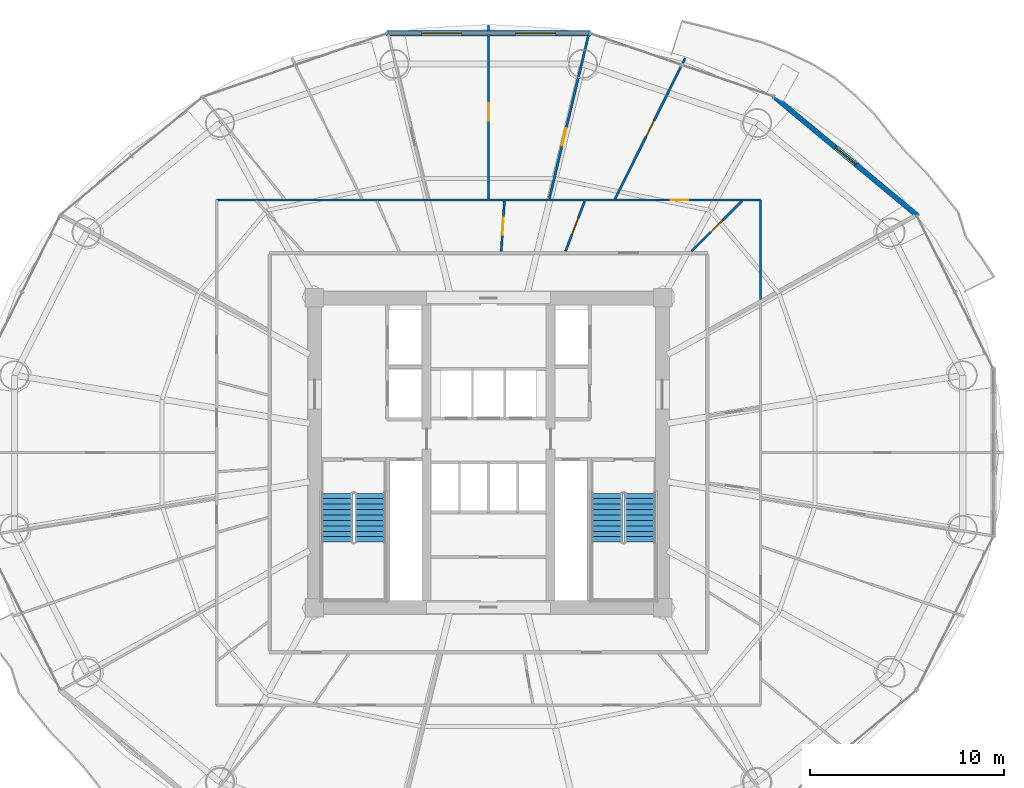
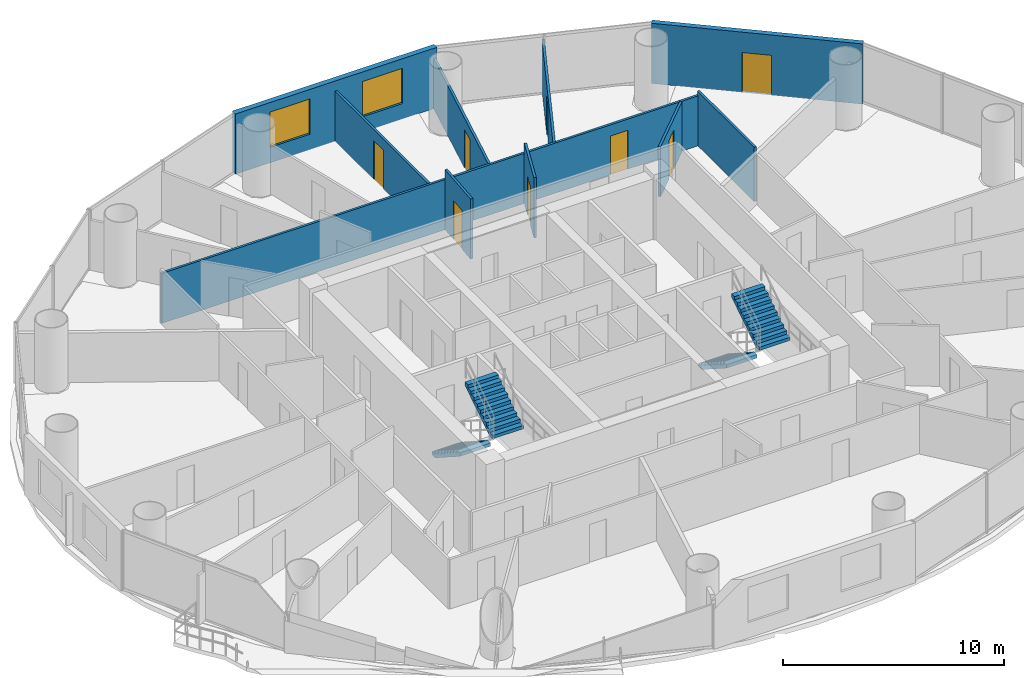
# One storey, part 25 of 29: 10 walls, 8 doors, 4 stair flights, 2 windows, 10 openings, 2 elements without a shape of their own.
"""IFC4 building model written with IfcOpenShell, lengths in metres."""

import ifcopenshell
import ifcopenshell.guid

model = None  # the IFC model being written
_history = None  # IfcOwnerHistory: only IFC2X3 demands one
_inside = {}  # id of a spatial element -> (the spatial element, [elements in it])
_under = {}  # id of a project, library or spatial element -> (it, [spatial elements below it])
_declared = {}  # id of a project -> (the project, [libraries it declares])
_typed = {}  # id of a type object -> (the type object, [elements of that type])
_made_of = {}  # id of a material, layer set ... -> (it, [elements and type objects made of it])


def new_model(schema):
    """Start an empty IFC model of exactly this schema.

    Asked for "IFC4X3", IfcOpenShell would pick the latest addendum, in which some entities
    have other attributes; the version numbers below select the first issue.
    IFC2X3 requires an IfcOwnerHistory on every rooted entity: one is made here for all.
    """
    global model, _history
    if schema == "IFC4X3":
        model = ifcopenshell.file(schema_version=(4, 3, 0, 0))
    else:
        model = ifcopenshell.file(schema=schema)
    _inside.clear()
    _under.clear()
    _declared.clear()
    _typed.clear()
    _made_of.clear()
    _history = None
    if model.schema == "IFC2X3":
        org = make("IfcOrganization", Name="unknown")
        user = make(
            "IfcPersonAndOrganization",
            ThePerson=make("IfcPerson", FamilyName="unknown"),
            TheOrganization=org,
        )
        app = make(
            "IfcApplication",
            ApplicationDeveloper=org,
            Version="unknown",
            ApplicationFullName="unknown",
            ApplicationIdentifier="unknown",
        )
        _history = make(
            "IfcOwnerHistory",
            OwningUser=user,
            OwningApplication=app,
            ChangeAction="ADDED",
            CreationDate=0,
        )
    return model


def make(cls, **values):
    """One entity of the class cls with the attributes given. An attribute that is None is left unset."""
    return model.create_entity(
        cls, **{name: value for name, value in values.items() if value is not None}
    )


def rooted(cls, **values):
    """An entity with a GlobalId (a new one), such as an element, a storey or a relation."""
    return make(cls, GlobalId=ifcopenshell.guid.new(), OwnerHistory=_history, **values)


def si_unit(unit_type, name, prefix=None):
    """IfcSIUnit, for example si_unit("LENGTHUNIT", "METRE", prefix="MILLI")."""
    return make("IfcSIUnit", UnitType=unit_type, Prefix=prefix, Name=name)


def assignment(units):
    """IfcUnitAssignment: the units of a project."""
    return None if units is None else make("IfcUnitAssignment", Units=units)


def point(xyz):
    """IfcCartesianPoint."""
    return None if xyz is None else make("IfcCartesianPoint", Coordinates=xyz)


def direction(xyz):
    """IfcDirection."""
    return None if xyz is None else make("IfcDirection", DirectionRatios=xyz)


def frame(location, z_axis=None, x_axis=None):
    """IfcAxis2Placement3D, a coordinate frame: its origin and axes. An axis left out is left unset."""
    return make(
        "IfcAxis2Placement3D",
        Location=point(location),
        Axis=direction(z_axis),
        RefDirection=direction(x_axis),
    )


def frame_2d(location, x_axis=None):
    """IfcAxis2Placement2D, a coordinate frame in the plane: its origin and x axis."""
    return make(
        "IfcAxis2Placement2D", Location=point(location), RefDirection=direction(x_axis)
    )


def origin():
    """The frame at (0, 0, 0) with its axes left unset."""
    return frame((0.0, 0.0, 0.0))


def place(relative_to, where):
    """IfcLocalPlacement: puts the frame where relative to a parent placement (None: the world)."""
    return make(
        "IfcLocalPlacement", PlacementRelTo=relative_to, RelativePlacement=where
    )


def context(
    kind, dimensions, precision=None, world=None, true_north=None, identifier=None
):
    """IfcGeometricRepresentationContext, for example the 3D "Model" context."""
    return make(
        "IfcGeometricRepresentationContext",
        ContextIdentifier=identifier,
        ContextType=kind,
        CoordinateSpaceDimension=dimensions,
        Precision=precision,
        WorldCoordinateSystem=world,
        TrueNorth=true_north,
    )


def subcontext(parent, identifier, kind, view, scale=None):
    """IfcGeometricRepresentationSubContext, for example "Body" below "Model"."""
    return make(
        "IfcGeometricRepresentationSubContext",
        ContextIdentifier=identifier,
        ContextType=kind,
        ParentContext=parent,
        TargetScale=scale,
        TargetView=view,
    )


def project(units=None, contexts=None):
    """IfcProject with its units and contexts."""
    return rooted(
        "IfcProject",
        Name="project",
        RepresentationContexts=contexts,
        UnitsInContext=assignment(units),
    )


def spatial(cls, under=None, at=None, **own):
    """A site, building, storey or space (cls), placed at a placement, below another one or the project."""
    s = rooted(cls, ObjectPlacement=at, **own)
    if under is not None:
        _under.setdefault(under.id(), (under, []))[1].append(s)
    return s


def polyline(points):
    """IfcPolyline through the points."""
    return make("IfcPolyline", Points=[point(p) for p in points])


def profile(cls, at=None, kind="AREA", **sizes):
    """A parametric profile (cls). Its sizes go by their IFC names, for example OverallWidth=200.0."""
    return make(cls, ProfileType=kind, Position=at, **sizes)


def rectangle(**sizes):
    """IfcRectangleProfileDef."""
    return profile("IfcRectangleProfileDef", **sizes)


def outline(outer, holes=None, kind="AREA"):
    """IfcArbitraryClosedProfileDef: a profile drawn as a closed curve; with holes, ...WithVoids."""
    if holes is None:
        return make("IfcArbitraryClosedProfileDef", ProfileType=kind, OuterCurve=outer)
    return make(
        "IfcArbitraryProfileDefWithVoids",
        ProfileType=kind,
        OuterCurve=outer,
        InnerCurves=holes,
    )


def extrude(swept, where, along, depth):
    """IfcExtrudedAreaSolid: the profile swept, set in the frame where, extruded along a direction by depth."""
    return make(
        "IfcExtrudedAreaSolid",
        SweptArea=swept,
        Position=where,
        ExtrudedDirection=direction(along),
        Depth=depth,
    )


def shape(context_of_items, identifier, shape_type, items):
    """IfcShapeRepresentation: the items that make up one representation, for example the "Body"."""
    return make(
        "IfcShapeRepresentation",
        ContextOfItems=context_of_items,
        RepresentationIdentifier=identifier,
        RepresentationType=shape_type,
        Items=items,
    )


def source(mapping_origin, context_of_items, identifier, shape_type, items):
    """IfcRepresentationMap: a shape defined once, which mapped items show again and again."""
    return make(
        "IfcRepresentationMap",
        MappingOrigin=mapping_origin,
        MappedRepresentation=shape(context_of_items, identifier, shape_type, items),
    )


def transform(
    local_origin,
    x_axis=None,
    y_axis=None,
    z_axis=None,
    scale=None,
    scale2=None,
    scale3=None,
    uniform=True,
):
    """IfcCartesianTransformationOperator3D, or its non-uniform kind. x_axis, y_axis, z_axis: its Axis1, 2, 3."""
    if uniform:
        return make(
            "IfcCartesianTransformationOperator3D",
            Axis1=direction(x_axis),
            Axis2=direction(y_axis),
            LocalOrigin=point(local_origin),
            Scale=scale,
            Axis3=direction(z_axis),
        )
    return make(
        "IfcCartesianTransformationOperator3DnonUniform",
        Axis1=direction(x_axis),
        Axis2=direction(y_axis),
        LocalOrigin=point(local_origin),
        Scale=scale,
        Axis3=direction(z_axis),
        Scale2=scale2,
        Scale3=scale3,
    )


def mapped(mapping_source, mapping_target):
    """IfcMappedItem: shows the shape of a source again, moved by a transform."""
    return make(
        "IfcMappedItem", MappingSource=mapping_source, MappingTarget=mapping_target
    )


def material(Name=None, Category=None):
    """IfcMaterial."""
    return make("IfcMaterial", Name=Name, Category=Category)


def layer(
    of_material, thickness, ventilated=None, Name=None, Category=None, Priority=None
):
    """IfcMaterialLayer: one layer of a wall or slab, of a material (None: an air gap)."""
    return make(
        "IfcMaterialLayer",
        Material=of_material,
        LayerThickness=thickness,
        IsVentilated=ventilated,
        Name=Name,
        Category=Category,
        Priority=Priority,
    )


def layer_set(layers, Name=None):
    """IfcMaterialLayerSet."""
    return make("IfcMaterialLayerSet", MaterialLayers=layers, LayerSetName=Name)


def made_of(thing, what):
    """Note that an element or type object is made of a material, layer set ...; save() writes the relation."""
    if what is not None:
        _made_of.setdefault(what.id(), (what, []))[1].append(thing)
    return thing


def type_object(cls, material=None, **own):
    """A type object (cls), such as IfcWallType, which elements share."""
    return made_of(rooted(cls, **own), material)


def element(
    cls,
    number,
    at=None,
    inside=None,
    cuts=None,
    type_object=None,
    material=None,
    context=None,
    identifier="Body",
    shape_type=None,
    held_by="IfcProductDefinitionShape",
    body=None,
    shapes=None,
    **own,
):
    """One element of the class cls, such as IfcWall. Its Tag is "e" and its number.

    at: its placement. inside: the storey or other place that contains it. cuts: it is an
    opening in that element (IfcRelVoidsElement). A single representation is given by context,
    identifier, shape_type and body (its items); several are given by shapes. held_by: the class
    of the entity that holds the representations. save() writes the other relations.
    """
    e = rooted(cls, Tag="e%d" % number, ObjectPlacement=at, **own)
    if body is not None:
        shapes = [shape(context, identifier, shape_type, body)]
    if shapes is not None:
        e.Representation = make(held_by, Representations=shapes)
    if inside is not None:
        _inside.setdefault(inside.id(), (inside, []))[1].append(e)
    if cuts is not None:
        rooted(
            "IfcRelVoidsElement", RelatingBuildingElement=cuts, RelatedOpeningElement=e
        )
    if type_object is not None:
        _typed.setdefault(type_object.id(), (type_object, []))[1].append(e)
    return made_of(e, material)


def fill(opening, filler):
    """IfcRelFillsElement: the door or window that sits in an opening."""
    return rooted(
        "IfcRelFillsElement",
        RelatingOpeningElement=opening,
        RelatedBuildingElement=filler,
    )


def aggregate(whole, parts):
    """IfcRelAggregates: a whole, such as a stair, and the parts it consists of."""
    return rooted("IfcRelAggregates", RelatingObject=whole, RelatedObjects=parts)


def save(model, path):
    """Write the relations noted so far, then the file.

    IfcRelAggregates (storeys below a building ...), IfcRelContainedInSpatialStructure (elements
    in a storey), IfcRelDefinesByType, IfcRelAssociatesMaterial and IfcRelDeclares: one each for
    every whole, place, type object, material and project.
    """
    for whole, parts in _under.values():
        aggregate(whole, parts)
    for where, things in _inside.values():
        rooted(
            "IfcRelContainedInSpatialStructure",
            RelatedElements=things,
            RelatingStructure=where,
        )
    for kind, things in _typed.values():
        rooted("IfcRelDefinesByType", RelatedObjects=things, RelatingType=kind)
    for what, things in _made_of.values():
        rooted("IfcRelAssociatesMaterial", RelatedObjects=things, RelatingMaterial=what)
    for by, libraries in _declared.values():
        rooted("IfcRelDeclares", RelatingContext=by, RelatedDefinitions=libraries)
    model.write(path)


model = new_model("IFC4")

# Units and contexts
model_context = context("Model", 3, precision=1e-05, world=origin(), true_north=direction((-0.2419218956, 0.970295726276)))
body_context = subcontext(model_context, "Body", "Model", "MODEL_VIEW")
ifc_project = project(units=[si_unit("LENGTHUNIT", "METRE"), si_unit("AREAUNIT", "SQUARE_METRE"), si_unit("VOLUMEUNIT", "CUBIC_METRE"), si_unit("PLANEANGLEUNIT", "RADIAN"), si_unit("MASSUNIT", "GRAM", prefix="KILO")], contexts=[model_context])

# Site, building, storey
site_placement = place(None, origin())
site = spatial("IfcSite", under=ifc_project, at=site_placement, CompositionType="ELEMENT")
building_placement = place(site_placement, origin())
building = spatial("IfcBuilding", under=site, at=building_placement, Name="Cobrevalo Terracotta Tower", CompositionType="ELEMENT")
storey_placement = place(building_placement, frame((0.0, 0.0, 90.60009765625)))
storey = spatial("IfcBuildingStorey", under=building, at=storey_placement, Name="L23", CompositionType="ELEMENT", Elevation=90.60009765625)

# Wall, openings, windows
ifc_material_1 = material(Name="Autoclaved aerated concrete block", Category="concrete")
ifc_layer_1 = layer(ifc_material_1, 0.280029296875)
ifc_layer_set_1 = layer_set([ifc_layer_1], Name="Autoclaved aerated concrete block")
wall_type_1 = type_object("IfcWallType", Name="Insulated tower spandrel & pier wall 280 mm with terracotta rainscreen", PredefinedType="SOLIDWALL", material=ifc_layer_set_1)
wall_1_placement = place(storey_placement, frame((43.263671875, 48.446044921875, 0.0), z_axis=(0.0, 0.0, 1.0), x_axis=(-1.0, 0.0, 0.0)))
wall_1 = element("IfcWall", 1, at=wall_1_placement, inside=storey, type_object=wall_type_1, Name="L23 terracotta rainscreen pier wall S04", PredefinedType="SOLIDWALL", context=body_context, shape_type="SweptSolid", body=[
    extrude(rectangle(XDim=10.52734375, YDim=0.280029296875, at=frame_2d((5.263671875, 0.0))), origin(), (0.0, 0.0, 1.0), 3.324951171875),
])
opening_1_placement = place(wall_1_placement, frame((1.792236328125, 0.0, 0.85009765625)))
opening_1 = element("IfcOpeningElement", 2, at=opening_1_placement, cuts=wall_1, Name="Opening WN-10", PredefinedType="OPENING", context=body_context, shape_type="SweptSolid", body=[
    extrude(rectangle(XDim=2.10009765625, YDim=1.949951171875, at=frame_2d((1.050048828125, 0.97509765625))), frame((0.0, 0.14990234375, 0.0), z_axis=(0.0, -1.0, 0.0), x_axis=(1.0, 0.0, 0.0)), (0.0, 0.0, 1.0), 0.300048828125),
])
opening_2_placement = place(wall_1_placement, frame((6.634765625, 0.0, 0.85009765625)))
opening_2 = element("IfcOpeningElement", 3, at=opening_2_placement, cuts=wall_1, Name="Opening WN-10", PredefinedType="OPENING", context=body_context, shape_type="SweptSolid", body=[
    extrude(rectangle(XDim=2.10009765625, YDim=1.949951171875, at=frame_2d((1.050048828125, 0.97509765625))), frame((0.0, 0.14990234375, 0.0), z_axis=(0.0, -1.0, 0.0), x_axis=(1.0, 0.0, 0.0)), (0.0, 0.0, 1.0), 0.300048828125),
])
ifc_material_2 = material(Name="Solar-control low-E double glazing", Category="glass")
window_type = type_object("IfcWindowType", Name="Wide panoramic low-E aluminium window 2100x1950", PartitioningType="SINGLE_PANEL", PredefinedType="WINDOW", material=ifc_material_2)
shared_shape_1 = source(origin(), body_context, "Body", "SweptSolid", [
    extrude(rectangle(XDim=2.10009765625, YDim=1.949951171875, at=frame_2d((1.050048828125, 0.97509765625))), frame((0.0, 0.030029296875, 0.0), z_axis=(0.0, -1.0, 0.0), x_axis=(1.0, 0.0, 0.0)), (0.0, 0.0, 1.0), 0.06005859375),
])
window_1_placement = place(opening_1_placement, origin())
window_1 = element("IfcWindow", 4, at=window_1_placement, inside=storey, type_object=window_type, Name="L23 suite window S04A", OverallHeight=1.949951171875, OverallWidth=2.10009765625, PartitioningType="SINGLE_PANEL", PredefinedType="WINDOW", context=body_context, shape_type="MappedRepresentation", body=[
    mapped(shared_shape_1, transform((0.0, 0.0, 0.0), scale=1.0)),
])
fill(opening_1, window_1)
window_2_placement = place(opening_2_placement, origin())
window_2 = element("IfcWindow", 5, at=window_2_placement, inside=storey, type_object=window_type, Name="L23 suite window S04B", OverallHeight=1.949951171875, OverallWidth=2.10009765625, PartitioningType="SINGLE_PANEL", PredefinedType="WINDOW", context=body_context, shape_type="MappedRepresentation", body=[
    mapped(shared_shape_1, transform((0.0, 0.0, 0.0), scale=1.0)),
])
fill(opening_2, window_2)

# Wall, opening, door
ifc_layer_2 = layer(ifc_material_1, 0.260009765625)
ifc_layer_set_2 = layer_set([ifc_layer_2], Name="Autoclaved aerated concrete block")
wall_type_2 = type_object("IfcWallType", Name="Recessed balcony loggia insulated exterior wall 260 mm", PredefinedType="SOLIDWALL", material=ifc_layer_set_2)
wall_2_placement = place(storey_placement, frame((60.15380859375, 39.01025390625, 0.0), z_axis=(0.0, 0.0, 1.0), x_axis=(-0.769242574941, 0.638956853706, 0.0)))
wall_2 = element("IfcWall", 6, at=wall_2_placement, inside=storey, type_object=wall_type_2, Name="L23 balcony loggia wall S02", PredefinedType="SOLIDWALL", context=body_context, shape_type="SweptSolid", body=[
    extrude(rectangle(XDim=9.68994140625, YDim=0.260009765625, at=frame_2d((4.844970703125, 0.0))), origin(), (0.0, 0.0, 1.0), 3.324951171875),
])
opening_3_placement = place(wall_2_placement, frame((4.169921875, 0.0, 0.0)))
opening_3 = element("IfcOpeningElement", 7, at=opening_3_placement, cuts=wall_2, Name="Opening ED-05", PredefinedType="OPENING", context=body_context, shape_type="SweptSolid", body=[
    extrude(rectangle(XDim=1.35009765625, YDim=2.199951171875, at=frame_2d((0.675048828125, 1.10009765625))), frame((0.0, 0.14013671875, 0.0), z_axis=(0.0, -1.0, 0.0), x_axis=(1.0, 0.0, 0.0)), (0.0, 0.0, 1.0), 0.280029296875),
])
ifc_material_3 = material(Name="Anodized aluminium and laminated glass", Category="aluminium")
door_type_1 = type_object("IfcDoorType", Name="Suite balcony acoustic glazed terrace door 1350x2200", OperationType="NOTDEFINED", PredefinedType="DOOR", material=ifc_material_3)
shared_shape_2 = source(origin(), body_context, "Body", "SweptSolid", [
    extrude(rectangle(XDim=1.35009765625, YDim=2.199951171875, at=frame_2d((0.675048828125, 1.10009765625))), frame((0.0, 0.02490234375, 0.0), z_axis=(0.0, -1.0, 0.0), x_axis=(1.0, 0.0, 0.0)), (0.0, 0.0, 1.0), 0.050048828125),
])
door_1_placement = place(opening_3_placement, frame((1.35009765625, 0.0, 0.0), z_axis=(0.0, 0.0, 1.0), x_axis=(-1.0, 0.0, 0.0)))
door_1 = element("IfcDoor", 8, at=door_1_placement, inside=storey, type_object=door_type_1, Name="L23 glazed balcony terrace door 1", OperationType="SINGLE_SWING_LEFT", OverallHeight=2.199951171875, OverallWidth=1.35009765625, PredefinedType="DOOR", context=body_context, shape_type="MappedRepresentation", body=[
    mapped(shared_shape_2, transform((0.0, 0.0, 0.0), scale=1.0)),
])
fill(opening_3, door_1)

ifc_material_4 = material(Name="Gypsum board on steel stud", Category="steel")
ifc_layer_3 = layer(ifc_material_4, 0.1201171875)
ifc_layer_set_3 = layer_set([ifc_layer_3], Name="Gypsum board on steel stud")
wall_type_3 = type_object("IfcWallType", Name="Residential internal acoustic stud partition 120 mm", PredefinedType="PARTITIONING", material=ifc_layer_set_3)
wall_3_placement = place(storey_placement, frame((23.965087890625, 39.8349609375, 0.0), z_axis=(0.0, 0.0, 1.0), x_axis=(1.0, 0.0, 0.0)))
wall_3 = element("IfcWall", 9, at=wall_3_placement, inside=storey, type_object=wall_type_3, Name="L23 interior partition IW-L23-U1-RING1_0", PredefinedType="PARTITIONING", context=body_context, shape_type="SweptSolid", body=[
    extrude(rectangle(XDim=28.06982421875, YDim=0.1201171875, at=frame_2d((14.034912109375, 0.0))), origin(), (0.0, 0.0, 1.0), 2.766845703125),
])
opening_4_placement = place(wall_3_placement, frame((23.442138671875, 0.0, 0.0)))
opening_4 = element("IfcOpeningElement", 10, at=opening_4_placement, cuts=wall_3, Name="Opening ID-12", PredefinedType="OPENING", context=body_context, shape_type="SweptSolid", body=[
    extrude(rectangle(XDim=0.89990234375, YDim=2.14990234375, at=frame_2d((0.449951171875, 1.074951171875))), frame((0.0, 0.070068359375, 0.0), z_axis=(0.0, -1.0, 0.0), x_axis=(1.0, 0.0, 0.0)), (0.0, 0.0, 1.0), 0.14013671875),
])
ifc_material_5 = material(Name="Engineered timber", Category="wood")
door_type_2 = type_object("IfcDoorType", Name="Internal residence & suite timber door 900x2150", OperationType="NOTDEFINED", PredefinedType="DOOR", material=ifc_material_5)
shared_shape_3 = source(origin(), body_context, "Body", "SweptSolid", [
    extrude(rectangle(XDim=0.89990234375, YDim=2.14990234375, at=frame_2d((0.449951171875, 1.074951171875))), frame((0.0, 0.02490234375, 0.0), z_axis=(0.0, -1.0, 0.0), x_axis=(1.0, 0.0, 0.0)), (0.0, 0.0, 1.0), 0.050048828125),
])
door_2_placement = place(opening_4_placement, origin())
door_2 = element("IfcDoor", 11, at=door_2_placement, inside=storey, type_object=door_type_2, Name="Flat L23A Living and Dining Room internal door", OperationType="SINGLE_SWING_LEFT", OverallHeight=2.14990234375, OverallWidth=0.89990234375, PredefinedType="DOOR", context=body_context, shape_type="MappedRepresentation", body=[
    mapped(shared_shape_3, transform((0.0, 0.0, 0.0), scale=1.0)),
])
fill(opening_4, door_2)

# Wall
wall_4_placement = place(storey_placement, frame((52.034912109375, 39.8349609375, 0.0), z_axis=(0.0, 0.0, 1.0), x_axis=(0.0, -1.0, 0.0)))
element("IfcWall", 12, at=wall_4_placement, inside=storey, type_object=wall_type_3, Name="L23 interior partition IW-L23-U1-RING2_0", PredefinedType="PARTITIONING", context=body_context, shape_type="SweptSolid", body=[
    extrude(rectangle(XDim=5.1416015625, YDim=0.1201171875, at=frame_2d((2.57080078125, 0.0))), origin(), (0.0, 0.0, 1.0), 3.00390625),
])

# Wall, opening, door
wall_5_placement = place(storey_placement, frame((44.5263671875, 39.890380859375, 0.0), z_axis=(0.0, 0.0, 1.0), x_axis=(0.446167584581, 0.894949432353, 0.0)))
wall_5 = element("IfcWall", 13, at=wall_5_placement, inside=storey, type_object=wall_type_3, Name="L23 interior partition IW-L23-U1-ORAD1", PredefinedType="PARTITIONING", context=body_context, shape_type="SweptSolid", body=[
    extrude(rectangle(XDim=8.124755859375, YDim=0.1201171875, at=frame_2d((4.0625, 0.0))), origin(), (0.0, 0.0, 1.0), 2.766845703125),
])
opening_5_placement = place(wall_5_placement, frame((3.6123046875, 0.0, 0.0)))
opening_5 = element("IfcOpeningElement", 14, at=opening_5_placement, cuts=wall_5, Name="Opening ID-12", PredefinedType="OPENING", context=body_context, shape_type="SweptSolid", body=[
    extrude(rectangle(XDim=0.89990234375, YDim=2.14990234375, at=frame_2d((0.449951171875, 1.074951171875))), frame((0.0, 0.070068359375, 0.0), z_axis=(0.0, -1.0, 0.0), x_axis=(1.0, 0.0, 0.0)), (0.0, 0.0, 1.0), 0.14013671875),
])
door_3_placement = place(opening_5_placement, origin())
door_3 = element("IfcDoor", 15, at=door_3_placement, inside=storey, type_object=door_type_2, Name="Flat L23A Master Bedroom internal door", OperationType="SINGLE_SWING_RIGHT", OverallHeight=2.14990234375, OverallWidth=0.89990234375, PredefinedType="DOOR", context=body_context, shape_type="MappedRepresentation", body=[
    mapped(shared_shape_3, transform((0.0, 0.0, 0.0), scale=1.0)),
])
fill(opening_5, door_3)

wall_6_placement = place(storey_placement, frame((41.13525390625, 39.895263671875, 0.0), z_axis=(0.0, 0.0, 1.0), x_axis=(0.23282725047, 0.97251810854, 0.0)))
wall_6 = element("IfcWall", 16, at=wall_6_placement, inside=storey, type_object=wall_type_3, Name="L23 interior partition IW-L23-U1-ORAD2", PredefinedType="PARTITIONING", context=body_context, shape_type="SweptSolid", body=[
    extrude(rectangle(XDim=8.71484375, YDim=0.1201171875, at=frame_2d((4.357421875, 0.0))), origin(), (0.0, 0.0, 1.0), 2.766845703125),
])
opening_6_placement = place(wall_6_placement, frame((2.83056640625, 0.0, 0.0)))
opening_6 = element("IfcOpeningElement", 17, at=opening_6_placement, cuts=wall_6, Name="Opening ID-12", PredefinedType="OPENING", context=body_context, shape_type="SweptSolid", body=[
    extrude(rectangle(XDim=0.89990234375, YDim=2.14990234375, at=frame_2d((0.449951171875, 1.074951171875))), frame((0.0, 0.070068359375, 0.0), z_axis=(0.0, -1.0, 0.0), x_axis=(1.0, 0.0, 0.0)), (0.0, 0.0, 1.0), 0.14013671875),
])
door_4_placement = place(opening_6_placement, origin())
door_4 = element("IfcDoor", 18, at=door_4_placement, inside=storey, type_object=door_type_2, Name="Flat L23A Principal Guest Bedroom internal door", OperationType="SINGLE_SWING_LEFT", OverallHeight=2.14990234375, OverallWidth=0.89990234375, PredefinedType="DOOR", context=body_context, shape_type="MappedRepresentation", body=[
    mapped(shared_shape_3, transform((0.0, 0.0, 0.0), scale=1.0)),
])
fill(opening_6, door_4)

wall_7_placement = place(storey_placement, frame((38.0, 39.89697265625, 0.0), z_axis=(0.0, 0.0, 1.0), x_axis=(0.0, 1.0, 0.0)))
wall_7 = element("IfcWall", 19, at=wall_7_placement, inside=storey, type_object=wall_type_3, Name="L23 interior partition IW-L23-U1-ORAD3M1", PredefinedType="PARTITIONING", context=body_context, shape_type="SweptSolid", body=[
    extrude(rectangle(XDim=8.943115234375, YDim=0.1201171875, at=frame_2d((4.4716796875, 0.0))), origin(), (0.0, 0.0, 1.0), 2.766845703125),
])
opening_7_placement = place(wall_7_placement, frame((4.021484375, 0.0, 0.0)))
opening_7 = element("IfcOpeningElement", 20, at=opening_7_placement, cuts=wall_7, Name="Opening ID-12", PredefinedType="OPENING", context=body_context, shape_type="SweptSolid", body=[
    extrude(rectangle(XDim=0.89990234375, YDim=2.14990234375, at=frame_2d((0.449951171875, 1.074951171875))), frame((0.0, 0.070068359375, 0.0), z_axis=(0.0, -1.0, 0.0), x_axis=(1.0, 0.0, 0.0)), (0.0, 0.0, 1.0), 0.14013671875),
])
door_5_placement = place(opening_7_placement, origin())
door_5 = element("IfcDoor", 21, at=door_5_placement, inside=storey, type_object=door_type_2, Name="Flat L23A North Bedroom internal door", OperationType="SINGLE_SWING_RIGHT", OverallHeight=2.14990234375, OverallWidth=0.89990234375, PredefinedType="DOOR", context=body_context, shape_type="MappedRepresentation", body=[
    mapped(shared_shape_3, transform((0.0, 0.0, 0.0), scale=1.0)),
])
fill(opening_7, door_5)

wall_8_placement = place(storey_placement, frame((48.465087890625, 37.18505859375, 0.0), z_axis=(0.0, 0.0, 1.0), x_axis=(0.709839752998, 0.704363205359, 0.0)))
wall_8 = element("IfcWall", 22, at=wall_8_placement, inside=storey, type_object=wall_type_3, Name="L23 interior partition IW-L23-U1-IRAD1", PredefinedType="PARTITIONING", context=body_context, shape_type="SweptSolid", body=[
    extrude(rectangle(XDim=3.7001953125, YDim=0.1201171875, at=frame_2d((1.85009765625, 0.0))), origin(), (0.0, 0.0, 1.0), 2.766845703125),
])
opening_8_placement = place(wall_8_placement, frame((1.420166015625, 0.0, 0.0)))
opening_8 = element("IfcOpeningElement", 23, at=opening_8_placement, cuts=wall_8, Name="Opening ID-19", PredefinedType="OPENING", context=body_context, shape_type="SweptSolid", body=[
    extrude(rectangle(XDim=0.860107421875, YDim=2.14990234375, at=frame_2d((0.43017578125, 1.074951171875))), frame((0.0, 0.070068359375, 0.0), z_axis=(0.0, -1.0, 0.0), x_axis=(1.0, 0.0, 0.0)), (0.0, 0.0, 1.0), 0.14013671875),
])
ifc_material_6 = material(Name="Moisture-sealed timber", Category="wood")
door_type_3 = type_object("IfcDoorType", Name="Suite bathroom internal timber door 860x2150", OperationType="NOTDEFINED", PredefinedType="DOOR", material=ifc_material_6)
shared_shape_4 = source(origin(), body_context, "Body", "SweptSolid", [
    extrude(rectangle(XDim=0.860107421875, YDim=2.14990234375, at=frame_2d((0.43017578125, 1.074951171875))), frame((0.0, 0.02490234375, 0.0), z_axis=(0.0, -1.0, 0.0), x_axis=(1.0, 0.0, 0.0)), (0.0, 0.0, 1.0), 0.050048828125),
])
door_6_placement = place(opening_8_placement, frame((0.860107421875, 0.0, 0.0), z_axis=(0.0, 0.0, 1.0), x_axis=(-1.0, 0.0, 0.0)))
door_6 = element("IfcDoor", 24, at=door_6_placement, inside=storey, type_object=door_type_3, Name="Flat L23A Primary Bathroom internal door", OperationType="SINGLE_SWING_RIGHT", OverallHeight=2.14990234375, OverallWidth=0.860107421875, PredefinedType="DOOR", context=body_context, shape_type="MappedRepresentation", body=[
    mapped(shared_shape_4, transform((0.0, 0.0, 0.0), scale=1.0)),
])
fill(opening_8, door_6)

wall_9_placement = place(storey_placement, frame((41.97119140625, 37.18505859375, 0.0), z_axis=(0.0, 0.0, 1.0), x_axis=(0.357180358075, 0.934035433913, 0.0)))
wall_9 = element("IfcWall", 25, at=wall_9_placement, inside=storey, type_object=wall_type_3, Name="L23 interior partition IW-L23-U1-IRAD2", PredefinedType="PARTITIONING", context=body_context, shape_type="SweptSolid", body=[
    extrude(rectangle(XDim=2.775146484375, YDim=0.1201171875, at=frame_2d((1.3876953125, 0.0))), origin(), (0.0, 0.0, 1.0), 3.324951171875),
])
opening_9_placement = place(wall_9_placement, frame((0.9375, 0.0, 0.0)))
opening_9 = element("IfcOpeningElement", 26, at=opening_9_placement, cuts=wall_9, Name="Opening ID-12", PredefinedType="OPENING", context=body_context, shape_type="SweptSolid", body=[
    extrude(rectangle(XDim=0.89990234375, YDim=2.14990234375, at=frame_2d((0.449951171875, 1.074951171875))), frame((0.0, 0.070068359375, 0.0), z_axis=(0.0, -1.0, 0.0), x_axis=(1.0, 0.0, 0.0)), (0.0, 0.0, 1.0), 0.14013671875),
])
door_7_placement = place(opening_9_placement, origin())
door_7 = element("IfcDoor", 27, at=door_7_placement, inside=storey, type_object=door_type_2, Name="Flat L23A Kitchen internal door", OperationType="SINGLE_SWING_RIGHT", OverallHeight=2.14990234375, OverallWidth=0.89990234375, PredefinedType="DOOR", context=body_context, shape_type="MappedRepresentation", body=[
    mapped(shared_shape_3, transform((0.0, 0.0, 0.0), scale=1.0)),
])
fill(opening_9, door_7)

wall_10_placement = place(storey_placement, frame((38.655029296875, 37.18505859375, 0.0), z_axis=(0.0, 0.0, 1.0), x_axis=(0.062981965009, 0.998014665265, 0.0)))
wall_10 = element("IfcWall", 28, at=wall_10_placement, inside=storey, type_object=wall_type_3, Name="L23 interior partition IW-L23-U1-IRAD3", PredefinedType="PARTITIONING", context=body_context, shape_type="SweptSolid", body=[
    extrude(rectangle(XDim=2.59326171875, YDim=0.1201171875, at=frame_2d((1.296630859375, 0.0))), origin(), (0.0, 0.0, 1.0), 3.324951171875),
])
opening_10_placement = place(wall_10_placement, frame((0.8466796875, 0.0, 0.0)))
opening_10 = element("IfcOpeningElement", 29, at=opening_10_placement, cuts=wall_10, Name="Opening ID-12", PredefinedType="OPENING", context=body_context, shape_type="SweptSolid", body=[
    extrude(rectangle(XDim=0.89990234375, YDim=2.14990234375, at=frame_2d((0.449951171875, 1.074951171875))), frame((0.0, 0.070068359375, 0.0), z_axis=(0.0, -1.0, 0.0), x_axis=(1.0, 0.0, 0.0)), (0.0, 0.0, 1.0), 0.14013671875),
])
door_8_placement = place(opening_10_placement, origin())
door_8 = element("IfcDoor", 30, at=door_8_placement, inside=storey, type_object=door_type_2, Name="Flat L23A Utility Closet internal door", OperationType="SINGLE_SWING_LEFT", OverallHeight=2.14990234375, OverallWidth=0.89990234375, PredefinedType="DOOR", context=body_context, shape_type="MappedRepresentation", body=[
    mapped(shared_shape_3, transform((0.0, 0.0, 0.0), scale=1.0)),
])
fill(opening_10, door_8)

# Stair, stair flights
ifc_material_7 = material(Name="Concrete C50", Category="concrete")
stair_type = type_object("IfcStairType", Name="Core protected escape dogleg stair 1600", PredefinedType="HALF_TURN_STAIR", material=ifc_material_7)
stair_1_placement = place(storey_placement, origin())
stair_1 = element("IfcStair", 31, at=stair_1_placement, inside=storey, type_object=stair_type, Name="L23 Protected exit stair ST-1", PredefinedType="HALF_TURN_STAIR")
stair_flight_type = type_object("IfcStairFlightType", Name="Core protected escape dogleg stair 1600 flight", PredefinedType="STRAIGHT", material=ifc_material_7)
stair_flight_1_placement = place(storey_placement, frame((30.175048828125, 24.699951171875, 0.0), z_axis=(0.0, 0.0, 1.0), x_axis=(0.0, -1.0, 0.0)))
stair_flight_1 = element("IfcStairFlight", 32, at=stair_flight_1_placement, type_object=stair_flight_type, Name="ST-1 flight 1", NumberOfRisers=10, NumberOfTreads=9, PredefinedType="STRAIGHT", RiserHeight=0.18, TreadLength=0.28, context=body_context, shape_type="SweptSolid", body=[
    extrude(outline(polyline([(0.0, 0.0), (0.0, 0.179931640625), (0.280029296875, 0.179931640625), (0.280029296875, 0.360107421875), (0.56005859375, 0.360107421875), (0.56005859375, 0.5400390625), (0.840087890625, 0.5400390625), (0.840087890625, 0.719970703125), (1.1201171875, 0.719970703125), (1.1201171875, 0.89990234375), (1.39990234375, 0.89990234375), (1.39990234375, 1.080078125), (1.679931640625, 1.080078125), (1.679931640625, 1.260009765625), (1.9599609375, 1.260009765625), (1.9599609375, 1.43994140625), (2.239990234375, 1.43994140625), (2.239990234375, 1.6201171875), (2.52001953125, 1.6201171875), (2.52001953125, 1.800048828125), (2.52001953125, 1.429931640625), (0.295654296875, 0.0), (0.0, 0.0)])), frame((0.0, 0.800048828125, 0.0), z_axis=(0.0, -1.0, 0.0), x_axis=(1.0, 0.0, 0.0)), (0.0, 0.0, 1.0), 1.60009765625),
])
stair_flight_2_placement = place(storey_placement, frame((31.89501953125, 22.179931640625, 1.7998046875), z_axis=(0.0, 0.0, 1.0), x_axis=(0.0, 1.0, 0.0)))
stair_flight_2 = element("IfcStairFlight", 33, at=stair_flight_2_placement, type_object=stair_flight_type, Name="ST-1 flight 2", NumberOfRisers=10, NumberOfTreads=9, PredefinedType="STRAIGHT", RiserHeight=0.18, TreadLength=0.28, context=body_context, shape_type="SweptSolid", body=[
    extrude(outline(polyline([(0.0, 0.0), (0.0, 0.179931640625), (0.280029296875, 0.179931640625), (0.280029296875, 0.360107421875), (0.56005859375, 0.360107421875), (0.56005859375, 0.5400390625), (0.840087890625, 0.5400390625), (0.840087890625, 0.719970703125), (1.1201171875, 0.719970703125), (1.1201171875, 0.89990234375), (1.39990234375, 0.89990234375), (1.39990234375, 1.080078125), (1.679931640625, 1.080078125), (1.679931640625, 1.260009765625), (1.9599609375, 1.260009765625), (1.9599609375, 1.43994140625), (2.239990234375, 1.43994140625), (2.239990234375, 1.6201171875), (2.52001953125, 1.6201171875), (2.52001953125, 1.800048828125), (2.52001953125, 1.429931640625), (0.295654296875, 0.0), (0.0, 0.0)])), frame((0.0, 0.800048828125, 0.0), z_axis=(0.0, -1.0, 0.0), x_axis=(1.0, 0.0, 0.0)), (0.0, 0.0, 1.0), 1.60009765625),
])
aggregate(stair_1, [stair_flight_1, stair_flight_2])

stair_2_placement = place(storey_placement, origin())
stair_2 = element("IfcStair", 34, at=stair_2_placement, inside=storey, type_object=stair_type, Name="L23 Protected exit stair ST-2", PredefinedType="HALF_TURN_STAIR")
stair_flight_3_placement = place(storey_placement, frame((44.10498046875, 24.699951171875, 0.0), z_axis=(0.0, 0.0, 1.0), x_axis=(0.0, -1.0, 0.0)))
stair_flight_3 = element("IfcStairFlight", 35, at=stair_flight_3_placement, type_object=stair_flight_type, Name="ST-2 flight 1", NumberOfRisers=10, NumberOfTreads=9, PredefinedType="STRAIGHT", RiserHeight=0.18, TreadLength=0.28, context=body_context, shape_type="SweptSolid", body=[
    extrude(outline(polyline([(0.0, 0.0), (0.0, 0.179931640625), (0.280029296875, 0.179931640625), (0.280029296875, 0.360107421875), (0.56005859375, 0.360107421875), (0.56005859375, 0.5400390625), (0.840087890625, 0.5400390625), (0.840087890625, 0.719970703125), (1.1201171875, 0.719970703125), (1.1201171875, 0.89990234375), (1.39990234375, 0.89990234375), (1.39990234375, 1.080078125), (1.679931640625, 1.080078125), (1.679931640625, 1.260009765625), (1.9599609375, 1.260009765625), (1.9599609375, 1.43994140625), (2.239990234375, 1.43994140625), (2.239990234375, 1.6201171875), (2.52001953125, 1.6201171875), (2.52001953125, 1.800048828125), (2.52001953125, 1.429931640625), (0.295654296875, 0.0), (0.0, 0.0)])), frame((0.0, 0.800048828125, 0.0), z_axis=(0.0, -1.0, 0.0), x_axis=(1.0, 0.0, 0.0)), (0.0, 0.0, 1.0), 1.60009765625),
])
stair_flight_4_placement = place(storey_placement, frame((45.824951171875, 22.179931640625, 1.7998046875), z_axis=(0.0, 0.0, 1.0), x_axis=(0.0, 1.0, 0.0)))
stair_flight_4 = element("IfcStairFlight", 36, at=stair_flight_4_placement, type_object=stair_flight_type, Name="ST-2 flight 2", NumberOfRisers=10, NumberOfTreads=9, PredefinedType="STRAIGHT", RiserHeight=0.18, TreadLength=0.28, context=body_context, shape_type="SweptSolid", body=[
    extrude(outline(polyline([(0.0, 0.0), (0.0, 0.179931640625), (0.280029296875, 0.179931640625), (0.280029296875, 0.360107421875), (0.56005859375, 0.360107421875), (0.56005859375, 0.5400390625), (0.840087890625, 0.5400390625), (0.840087890625, 0.719970703125), (1.1201171875, 0.719970703125), (1.1201171875, 0.89990234375), (1.39990234375, 0.89990234375), (1.39990234375, 1.080078125), (1.679931640625, 1.080078125), (1.679931640625, 1.260009765625), (1.9599609375, 1.260009765625), (1.9599609375, 1.43994140625), (2.239990234375, 1.43994140625), (2.239990234375, 1.6201171875), (2.52001953125, 1.6201171875), (2.52001953125, 1.800048828125), (2.52001953125, 1.429931640625), (0.295654296875, 0.0), (0.0, 0.0)])), frame((0.0, 0.800048828125, 0.0), z_axis=(0.0, -1.0, 0.0), x_axis=(1.0, 0.0, 0.0)), (0.0, 0.0, 1.0), 1.60009765625),
])
aggregate(stair_2, [stair_flight_3, stair_flight_4])

save(model, "model.ifc")
